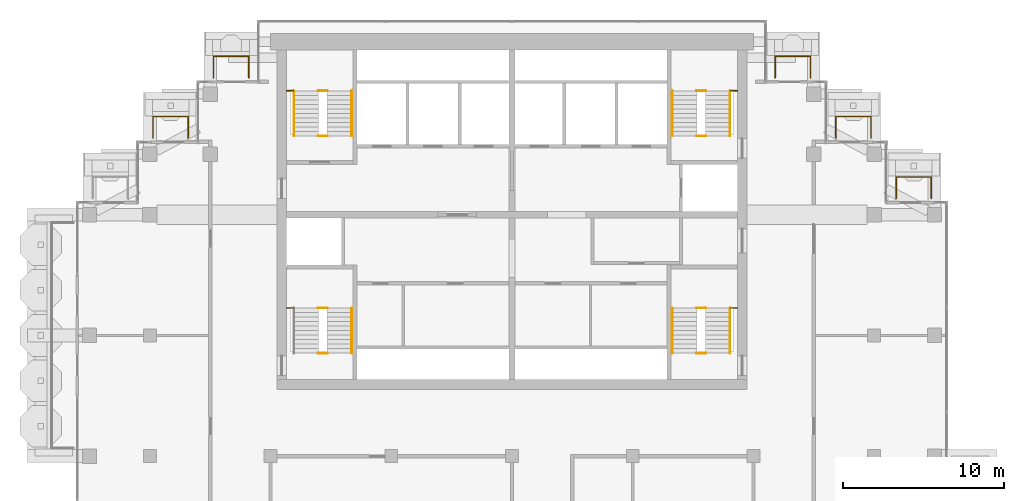
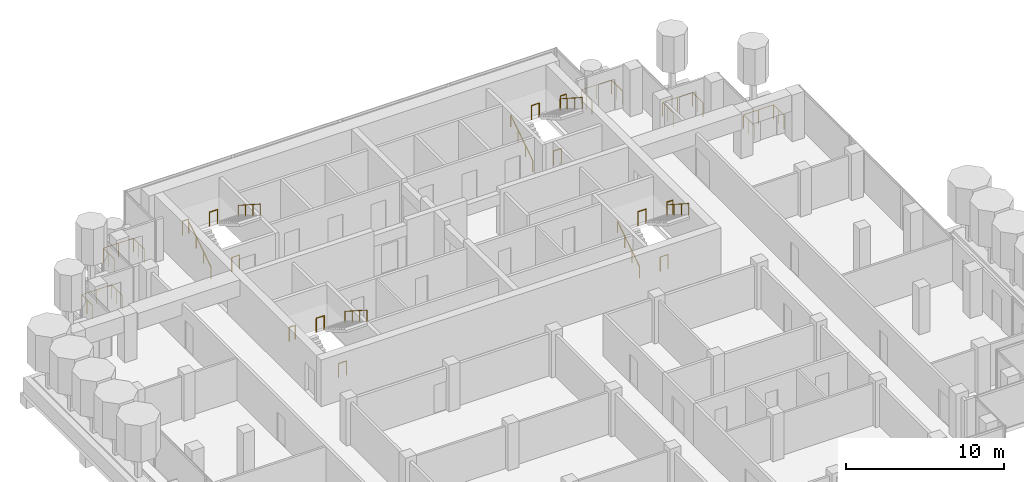
# One storey, part 17 of 18: 24 railings.
"""IFC4 building model written with IfcOpenShell, lengths in metres."""

import ifcopenshell
import ifcopenshell.guid

model = None  # the IFC model being written
_history = None  # IfcOwnerHistory: only IFC2X3 demands one
_inside = {}  # id of a spatial element -> (the spatial element, [elements in it])
_under = {}  # id of a project, library or spatial element -> (it, [spatial elements below it])
_declared = {}  # id of a project -> (the project, [libraries it declares])
_typed = {}  # id of a type object -> (the type object, [elements of that type])
_made_of = {}  # id of a material, layer set ... -> (it, [elements and type objects made of it])


def new_model(schema):
    """Start an empty IFC model of exactly this schema.

    Asked for "IFC4X3", IfcOpenShell would pick the latest addendum, in which some entities
    have other attributes; the version numbers below select the first issue.
    IFC2X3 requires an IfcOwnerHistory on every rooted entity: one is made here for all.
    """
    global model, _history
    if schema == "IFC4X3":
        model = ifcopenshell.file(schema_version=(4, 3, 0, 0))
    else:
        model = ifcopenshell.file(schema=schema)
    _inside.clear()
    _under.clear()
    _declared.clear()
    _typed.clear()
    _made_of.clear()
    _history = None
    if model.schema == "IFC2X3":
        org = make("IfcOrganization", Name="unknown")
        user = make(
            "IfcPersonAndOrganization",
            ThePerson=make("IfcPerson", FamilyName="unknown"),
            TheOrganization=org,
        )
        app = make(
            "IfcApplication",
            ApplicationDeveloper=org,
            Version="unknown",
            ApplicationFullName="unknown",
            ApplicationIdentifier="unknown",
        )
        _history = make(
            "IfcOwnerHistory",
            OwningUser=user,
            OwningApplication=app,
            ChangeAction="ADDED",
            CreationDate=0,
        )
    return model


def make(cls, **values):
    """One entity of the class cls with the attributes given. An attribute that is None is left unset."""
    return model.create_entity(
        cls, **{name: value for name, value in values.items() if value is not None}
    )


def rooted(cls, **values):
    """An entity with a GlobalId (a new one), such as an element, a storey or a relation."""
    return make(cls, GlobalId=ifcopenshell.guid.new(), OwnerHistory=_history, **values)


def si_unit(unit_type, name, prefix=None):
    """IfcSIUnit, for example si_unit("LENGTHUNIT", "METRE", prefix="MILLI")."""
    return make("IfcSIUnit", UnitType=unit_type, Prefix=prefix, Name=name)


def assignment(units):
    """IfcUnitAssignment: the units of a project."""
    return None if units is None else make("IfcUnitAssignment", Units=units)


def point(xyz):
    """IfcCartesianPoint."""
    return None if xyz is None else make("IfcCartesianPoint", Coordinates=xyz)


def direction(xyz):
    """IfcDirection."""
    return None if xyz is None else make("IfcDirection", DirectionRatios=xyz)


def frame(location, z_axis=None, x_axis=None):
    """IfcAxis2Placement3D, a coordinate frame: its origin and axes. An axis left out is left unset."""
    return make(
        "IfcAxis2Placement3D",
        Location=point(location),
        Axis=direction(z_axis),
        RefDirection=direction(x_axis),
    )


def frame_2d(location, x_axis=None):
    """IfcAxis2Placement2D, a coordinate frame in the plane: its origin and x axis."""
    return make(
        "IfcAxis2Placement2D", Location=point(location), RefDirection=direction(x_axis)
    )


def origin():
    """The frame at (0, 0, 0) with its axes left unset."""
    return frame((0.0, 0.0, 0.0))


def origin_2d():
    """The frame at (0, 0) in the plane with its x axis left unset."""
    return frame_2d((0.0, 0.0))


def place(relative_to, where):
    """IfcLocalPlacement: puts the frame where relative to a parent placement (None: the world)."""
    return make(
        "IfcLocalPlacement", PlacementRelTo=relative_to, RelativePlacement=where
    )


def context(
    kind, dimensions, precision=None, world=None, true_north=None, identifier=None
):
    """IfcGeometricRepresentationContext, for example the 3D "Model" context."""
    return make(
        "IfcGeometricRepresentationContext",
        ContextIdentifier=identifier,
        ContextType=kind,
        CoordinateSpaceDimension=dimensions,
        Precision=precision,
        WorldCoordinateSystem=world,
        TrueNorth=true_north,
    )


def subcontext(parent, identifier, kind, view, scale=None):
    """IfcGeometricRepresentationSubContext, for example "Body" below "Model"."""
    return make(
        "IfcGeometricRepresentationSubContext",
        ContextIdentifier=identifier,
        ContextType=kind,
        ParentContext=parent,
        TargetScale=scale,
        TargetView=view,
    )


def project(units=None, contexts=None):
    """IfcProject with its units and contexts."""
    return rooted(
        "IfcProject",
        Name="project",
        RepresentationContexts=contexts,
        UnitsInContext=assignment(units),
    )


def spatial(cls, under=None, at=None, **own):
    """A site, building, storey or space (cls), placed at a placement, below another one or the project."""
    s = rooted(cls, ObjectPlacement=at, **own)
    if under is not None:
        _under.setdefault(under.id(), (under, []))[1].append(s)
    return s


def profile(cls, at=None, kind="AREA", **sizes):
    """A parametric profile (cls). Its sizes go by their IFC names, for example OverallWidth=200.0."""
    return make(cls, ProfileType=kind, Position=at, **sizes)


def circle(**sizes):
    """IfcCircleProfileDef."""
    return profile("IfcCircleProfileDef", **sizes)


def extrude(swept, where, along, depth):
    """IfcExtrudedAreaSolid: the profile swept, set in the frame where, extruded along a direction by depth."""
    return make(
        "IfcExtrudedAreaSolid",
        SweptArea=swept,
        Position=where,
        ExtrudedDirection=direction(along),
        Depth=depth,
    )


def shape(context_of_items, identifier, shape_type, items):
    """IfcShapeRepresentation: the items that make up one representation, for example the "Body"."""
    return make(
        "IfcShapeRepresentation",
        ContextOfItems=context_of_items,
        RepresentationIdentifier=identifier,
        RepresentationType=shape_type,
        Items=items,
    )


def material(Name=None, Category=None):
    """IfcMaterial."""
    return make("IfcMaterial", Name=Name, Category=Category)


def made_of(thing, what):
    """Note that an element or type object is made of a material, layer set ...; save() writes the relation."""
    if what is not None:
        _made_of.setdefault(what.id(), (what, []))[1].append(thing)
    return thing


def type_object(cls, material=None, **own):
    """A type object (cls), such as IfcWallType, which elements share."""
    return made_of(rooted(cls, **own), material)


def element(
    cls,
    number,
    at=None,
    inside=None,
    cuts=None,
    type_object=None,
    material=None,
    context=None,
    identifier="Body",
    shape_type=None,
    held_by="IfcProductDefinitionShape",
    body=None,
    shapes=None,
    **own,
):
    """One element of the class cls, such as IfcWall. Its Tag is "e" and its number.

    at: its placement. inside: the storey or other place that contains it. cuts: it is an
    opening in that element (IfcRelVoidsElement). A single representation is given by context,
    identifier, shape_type and body (its items); several are given by shapes. held_by: the class
    of the entity that holds the representations. save() writes the other relations.
    """
    e = rooted(cls, Tag="e%d" % number, ObjectPlacement=at, **own)
    if body is not None:
        shapes = [shape(context, identifier, shape_type, body)]
    if shapes is not None:
        e.Representation = make(held_by, Representations=shapes)
    if inside is not None:
        _inside.setdefault(inside.id(), (inside, []))[1].append(e)
    if cuts is not None:
        rooted(
            "IfcRelVoidsElement", RelatingBuildingElement=cuts, RelatedOpeningElement=e
        )
    if type_object is not None:
        _typed.setdefault(type_object.id(), (type_object, []))[1].append(e)
    return made_of(e, material)


def aggregate(whole, parts):
    """IfcRelAggregates: a whole, such as a stair, and the parts it consists of."""
    return rooted("IfcRelAggregates", RelatingObject=whole, RelatedObjects=parts)


def save(model, path):
    """Write the relations noted so far, then the file.

    IfcRelAggregates (storeys below a building ...), IfcRelContainedInSpatialStructure (elements
    in a storey), IfcRelDefinesByType, IfcRelAssociatesMaterial and IfcRelDeclares: one each for
    every whole, place, type object, material and project.
    """
    for whole, parts in _under.values():
        aggregate(whole, parts)
    for where, things in _inside.values():
        rooted(
            "IfcRelContainedInSpatialStructure",
            RelatedElements=things,
            RelatingStructure=where,
        )
    for kind, things in _typed.values():
        rooted("IfcRelDefinesByType", RelatedObjects=things, RelatingType=kind)
    for what, things in _made_of.values():
        rooted("IfcRelAssociatesMaterial", RelatedObjects=things, RelatingMaterial=what)
    for by, libraries in _declared.values():
        rooted("IfcRelDeclares", RelatingContext=by, RelatedDefinitions=libraries)
    model.write(path)


model = new_model("IFC4")

# Units and contexts
model_context = context("Model", 3, precision=1e-05, world=origin(), true_north=direction((0.0, 1.0)))
body_context = subcontext(model_context, "Body", "Model", "MODEL_VIEW")
ifc_project = project(units=[si_unit("LENGTHUNIT", "METRE"), si_unit("AREAUNIT", "SQUARE_METRE"), si_unit("VOLUMEUNIT", "CUBIC_METRE"), si_unit("PLANEANGLEUNIT", "RADIAN"), si_unit("MASSUNIT", "GRAM", prefix="KILO")], contexts=[model_context])

# Site, building, storey
site_placement = place(None, origin())
site = spatial("IfcSite", under=ifc_project, at=site_placement, CompositionType="ELEMENT")
building_placement = place(site_placement, origin())
building = spatial("IfcBuilding", under=site, at=building_placement, Name="Pilkhan Gate Tower", CompositionType="ELEMENT")
storey_placement = place(building_placement, frame((0.0, 0.0, 249.89990234375)))
storey = spatial("IfcBuildingStorey", under=building, at=storey_placement, Name="L65", CompositionType="ELEMENT", Elevation=249.89990234375)

# Railings
ifc_material_1 = material(Name="Pale anodised aluminium posts, laminated glass infill", Category="aluminium")
railing_type_1 = type_object("IfcRailingType", Name="Balcony guard G1", PredefinedType="BALUSTRADE", material=ifc_material_1)
for number, where, name in (
    (1, (56.449951171875, 91.0, 0.0), "Balcony guard L65 N"),
    (2, (91.35009765625, 91.0, 0.0), "Balcony guard L65 N"),
):
    element("IfcRailing", number, at=place(storey_placement, frame(where)), inside=storey, type_object=railing_type_1, Name=name, PredefinedType="BALUSTRADE", context=body_context, shape_type="SweptSolid", body=[
        extrude(circle(Radius=0.02392578125, at=origin_2d()), frame((0.0, 0.0, 1.076171875), z_axis=(0.0, 1.0, 0.0), x_axis=(-1.0, 0.0, 0.0)), (0.0, 0.0, 1.0), 1.35009765625),
        extrude(circle(Radius=0.02392578125, at=origin_2d()), frame((0.0, 1.35009765625, 1.076171875), z_axis=(1.0, 0.0, 0.0), x_axis=(0.0, 1.0, 0.0)), (0.0, 0.0, 1.0), 2.199951171875),
        extrude(circle(Radius=0.02392578125, at=origin_2d()), frame((2.199951171875, 1.35009765625, 1.076171875), z_axis=(0.0, -1.0, 0.0), x_axis=(1.0, 0.0, 0.0)), (0.0, 0.0, 1.0), 1.35009765625),
        extrude(circle(Radius=0.02099609375, at=origin_2d()), origin(), (0.0, 0.0, 1.0), 1.052001953125),
        extrude(circle(Radius=0.02099609375, at=origin_2d()), frame((0.0, 0.675048828125, 0.0)), (0.0, 0.0, 1.0), 1.052001953125),
        extrude(circle(Radius=0.02099609375, at=origin_2d()), frame((0.0, 1.35009765625, 0.0)), (0.0, 0.0, 1.0), 1.052001953125),
        extrude(circle(Radius=0.02099609375, at=origin_2d()), frame((1.10009765625, 1.35009765625, 0.0)), (0.0, 0.0, 1.0), 1.052001953125),
        extrude(circle(Radius=0.02099609375, at=origin_2d()), frame((2.199951171875, 1.35009765625, 0.0)), (0.0, 0.0, 1.0), 1.052001953125),
        extrude(circle(Radius=0.02099609375, at=origin_2d()), frame((2.199951171875, 0.675048828125, 0.0)), (0.0, 0.0, 1.0), 1.052001953125),
        extrude(circle(Radius=0.02099609375, at=origin_2d()), frame((2.199951171875, 0.0, 0.0)), (0.0, 0.0, 1.0), 1.052001953125),
    ])
for number, where, name in (
    (3, (52.699951171875, 87.27001953125, 0.0), "Balcony guard L65 N"),
    (4, (95.1201171875, 87.27001953125, 0.0), "Balcony guard L65 N"),
    (5, (98.8701171875, 83.52001953125, 0.0), "Balcony guard L65 N"),
):
    element("IfcRailing", number, at=place(storey_placement, frame(where)), inside=storey, type_object=railing_type_1, Name=name, PredefinedType="BALUSTRADE", context=body_context, shape_type="SweptSolid", body=[
        extrude(circle(Radius=0.02392578125, at=origin_2d()), frame((0.0, 0.0, 1.076171875), z_axis=(0.0, 1.0, 0.0), x_axis=(-1.0, 0.0, 0.0)), (0.0, 0.0, 1.0), 1.330078125),
        extrude(circle(Radius=0.02392578125, at=origin_2d()), frame((0.0, 1.330078125, 1.076171875), z_axis=(1.0, 0.0, 0.0), x_axis=(0.0, 1.0, 0.0)), (0.0, 0.0, 1.0), 2.179931640625),
        extrude(circle(Radius=0.02392578125, at=origin_2d()), frame((2.179931640625, 1.330078125, 1.076171875), z_axis=(0.0, -1.0, 0.0), x_axis=(1.0, 0.0, 0.0)), (0.0, 0.0, 1.0), 1.330078125),
        extrude(circle(Radius=0.02099609375, at=origin_2d()), origin(), (0.0, 0.0, 1.0), 1.052001953125),
        extrude(circle(Radius=0.02099609375, at=origin_2d()), frame((0.0, 0.6650390625, 0.0)), (0.0, 0.0, 1.0), 1.052001953125),
        extrude(circle(Radius=0.02099609375, at=origin_2d()), frame((0.0, 1.330078125, 0.0)), (0.0, 0.0, 1.0), 1.052001953125),
        extrude(circle(Radius=0.02099609375, at=origin_2d()), frame((1.08984375, 1.330078125, 0.0)), (0.0, 0.0, 1.0), 1.052001953125),
        extrude(circle(Radius=0.02099609375, at=origin_2d()), frame((2.179931640625, 1.330078125, 0.0)), (0.0, 0.0, 1.0), 1.052001953125),
        extrude(circle(Radius=0.02099609375, at=origin_2d()), frame((2.179931640625, 0.6650390625, 0.0)), (0.0, 0.0, 1.0), 1.052001953125),
        extrude(circle(Radius=0.02099609375, at=origin_2d()), frame((2.179931640625, 0.0, 0.0)), (0.0, 0.0, 1.0), 1.052001953125),
    ])
ifc_material_2 = material(Name="Black powder-coated steel tube", Category="steel")
railing_type_2 = type_object("IfcRailingType", Name="Stair handrail HR1", PredefinedType="HANDRAIL", material=ifc_material_2)
railing_1_placement = place(storey_placement, frame((84.949951171875, 73.89990234375, 0.0)))
element("IfcRailing", 6, at=railing_1_placement, inside=storey, type_object=railing_type_2, Name="Stair ST1 handrail L65", PredefinedType="HANDRAIL", context=body_context, shape_type="SweptSolid", body=[
    extrude(circle(Radius=0.02392578125, at=origin_2d()), frame((0.0, 0.0, 0.8759765625), z_axis=(0.0, 0.841176092368, 0.540761298198), x_axis=(-1.0, 0.0, 0.0)), (0.0, 0.0, 1.0), 3.32861328125),
    extrude(circle(Radius=0.02099609375, at=origin_2d()), origin(), (0.0, 0.0, 1.0), 0.851806640625),
    extrude(circle(Radius=0.02099609375, at=origin_2d()), frame((0.0, 0.933349609375, 0.60009765625)), (0.0, 0.0, 1.0), 0.851806640625),
    extrude(circle(Radius=0.02099609375, at=origin_2d()), frame((0.0, 1.86669921875, 1.199951171875)), (0.0, 0.0, 1.0), 0.851806640625),
    extrude(circle(Radius=0.02099609375, at=origin_2d()), frame((0.0, 2.800048828125, 1.800048828125)), (0.0, 0.0, 1.0), 0.851806640625),
])
for number, where, name in (
    (7, (88.550048828125, 76.699951171875, 1.800048828125), "Stair ST1 handrail L65"),
    (8, (65.050048828125, 76.699951171875, 1.800048828125), "Stair ST2 handrail L65"),
):
    element("IfcRailing", number, at=place(storey_placement, frame(where)), inside=storey, type_object=railing_type_2, Name=name, PredefinedType="HANDRAIL", context=body_context, shape_type="SweptSolid", body=[
        extrude(circle(Radius=0.02392578125, at=origin_2d()), frame((0.0, 0.0, 0.8759765625), z_axis=(0.0, -0.841176092368, 0.540761298198), x_axis=(1.0, 0.0, 0.0)), (0.0, 0.0, 1.0), 3.32861328125),
        extrude(circle(Radius=0.02099609375, at=origin_2d()), origin(), (0.0, 0.0, 1.0), 0.851806640625),
        extrude(circle(Radius=0.02099609375, at=origin_2d()), frame((0.0, -0.933349609375, 0.60009765625)), (0.0, 0.0, 1.0), 0.851806640625),
        extrude(circle(Radius=0.02099609375, at=origin_2d()), frame((0.0, -1.86669921875, 1.199951171875)), (0.0, 0.0, 1.0), 0.851806640625),
        extrude(circle(Radius=0.02099609375, at=origin_2d()), frame((0.0, -2.800048828125, 1.800048828125)), (0.0, 0.0, 1.0), 0.851806640625),
    ])
railing_2_placement = place(storey_placement, frame((61.449951171875, 87.39990234375, 0.0)))
element("IfcRailing", 9, at=railing_2_placement, inside=storey, type_object=railing_type_2, Name="Stair ST3 handrail L65", PredefinedType="HANDRAIL", context=body_context, shape_type="SweptSolid", body=[
    extrude(circle(Radius=0.02392578125, at=origin_2d()), frame((0.0, 0.0, 0.8759765625), z_axis=(0.0, 0.841176092368, 0.540761298198), x_axis=(-1.0, 0.0, 0.0)), (0.0, 0.0, 1.0), 3.32861328125),
    extrude(circle(Radius=0.02099609375, at=origin_2d()), origin(), (0.0, 0.0, 1.0), 0.851806640625),
    extrude(circle(Radius=0.02099609375, at=origin_2d()), frame((0.0, 0.933349609375, 0.60009765625)), (0.0, 0.0, 1.0), 0.851806640625),
    extrude(circle(Radius=0.02099609375, at=origin_2d()), frame((0.0, 1.86669921875, 1.199951171875)), (0.0, 0.0, 1.0), 0.851806640625),
    extrude(circle(Radius=0.02099609375, at=origin_2d()), frame((0.0, 2.800048828125, 1.800048828125)), (0.0, 0.0, 1.0), 0.851806640625),
])
railing_3_placement = place(storey_placement, frame((65.050048828125, 90.199951171875, 1.800048828125)))
element("IfcRailing", 10, at=railing_3_placement, inside=storey, type_object=railing_type_2, Name="Stair ST3 handrail L65", PredefinedType="HANDRAIL", context=body_context, shape_type="SweptSolid", body=[
    extrude(circle(Radius=0.02392578125, at=origin_2d()), frame((0.0, 0.0, 0.8759765625), z_axis=(0.0, -0.841176092368, 0.540761298198), x_axis=(1.0, 0.0, 0.0)), (0.0, 0.0, 1.0), 3.32861328125),
    extrude(circle(Radius=0.02099609375, at=origin_2d()), origin(), (0.0, 0.0, 1.0), 0.851806640625),
    extrude(circle(Radius=0.02099609375, at=origin_2d()), frame((0.0, -0.933349609375, 0.60009765625)), (0.0, 0.0, 1.0), 0.851806640625),
    extrude(circle(Radius=0.02099609375, at=origin_2d()), frame((0.0, -1.86669921875, 1.199951171875)), (0.0, 0.0, 1.0), 0.851806640625),
    extrude(circle(Radius=0.02099609375, at=origin_2d()), frame((0.0, -2.800048828125, 1.800048828125)), (0.0, 0.0, 1.0), 0.851806640625),
])
railing_4_placement = place(storey_placement, frame((84.949951171875, 87.39990234375, 0.0)))
element("IfcRailing", 11, at=railing_4_placement, inside=storey, type_object=railing_type_2, Name="Stair ST4 handrail L65", PredefinedType="HANDRAIL", context=body_context, shape_type="SweptSolid", body=[
    extrude(circle(Radius=0.02392578125, at=origin_2d()), frame((0.0, 0.0, 0.8759765625), z_axis=(0.0, 0.841176092368, 0.540761298198), x_axis=(-1.0, 0.0, 0.0)), (0.0, 0.0, 1.0), 3.32861328125),
    extrude(circle(Radius=0.02099609375, at=origin_2d()), origin(), (0.0, 0.0, 1.0), 0.851806640625),
    extrude(circle(Radius=0.02099609375, at=origin_2d()), frame((0.0, 0.933349609375, 0.60009765625)), (0.0, 0.0, 1.0), 0.851806640625),
    extrude(circle(Radius=0.02099609375, at=origin_2d()), frame((0.0, 1.86669921875, 1.199951171875)), (0.0, 0.0, 1.0), 0.851806640625),
    extrude(circle(Radius=0.02099609375, at=origin_2d()), frame((0.0, 2.800048828125, 1.800048828125)), (0.0, 0.0, 1.0), 0.851806640625),
])
railing_5_placement = place(storey_placement, frame((88.550048828125, 90.199951171875, 1.800048828125)))
element("IfcRailing", 12, at=railing_5_placement, inside=storey, type_object=railing_type_2, Name="Stair ST4 handrail L65", PredefinedType="HANDRAIL", context=body_context, shape_type="SweptSolid", body=[
    extrude(circle(Radius=0.02392578125, at=origin_2d()), frame((0.0, 0.0, 0.8759765625), z_axis=(0.0, -0.841176092368, 0.540761298198), x_axis=(1.0, 0.0, 0.0)), (0.0, 0.0, 1.0), 3.32861328125),
    extrude(circle(Radius=0.02099609375, at=origin_2d()), origin(), (0.0, 0.0, 1.0), 0.851806640625),
    extrude(circle(Radius=0.02099609375, at=origin_2d()), frame((0.0, -0.933349609375, 0.60009765625)), (0.0, 0.0, 1.0), 0.851806640625),
    extrude(circle(Radius=0.02099609375, at=origin_2d()), frame((0.0, -1.86669921875, 1.199951171875)), (0.0, 0.0, 1.0), 0.851806640625),
    extrude(circle(Radius=0.02099609375, at=origin_2d()), frame((0.0, -2.800048828125, 1.800048828125)), (0.0, 0.0, 1.0), 0.851806640625),
])
ifc_material_3 = material(Name="Black powder-coated steel balusters", Category="steel")
railing_type_3 = type_object("IfcRailingType", Name="Stair well guard G3", PredefinedType="GUARDRAIL", material=ifc_material_3)
railing_6_placement = place(storey_placement, frame((88.580078125, 76.699951171875, 1.800048828125)))
element("IfcRailing", 13, at=railing_6_placement, inside=storey, type_object=railing_type_3, Name="Stair ST1 well guard L65", PredefinedType="GUARDRAIL", context=body_context, shape_type="SweptSolid", body=[
    extrude(circle(Radius=0.02392578125, at=origin_2d()), frame((0.0, 0.0, 1.076171875), z_axis=(1.0, 0.0, 0.0), x_axis=(0.0, 1.0, 0.0)), (0.0, 0.0, 1.0), 0.43994140625),
    extrude(circle(Radius=0.02099609375, at=origin_2d()), origin(), (0.0, 0.0, 1.0), 1.052001953125),
    extrude(circle(Radius=0.02099609375, at=origin_2d()), frame((0.43994140625, 0.0, 0.0)), (0.0, 0.0, 1.0), 1.052001953125),
])
for number, where, name in (
    (14, (86.4599609375, 73.89990234375, 0.0), "Stair ST1 well guard L65"),
    (15, (86.4599609375, 76.699951171875, 1.800048828125), "Stair ST1 well guard L65"),
):
    element("IfcRailing", number, at=place(storey_placement, frame(where)), inside=storey, type_object=railing_type_3, Name=name, PredefinedType="GUARDRAIL", context=body_context, shape_type="SweptSolid", body=[
        extrude(circle(Radius=0.02392578125, at=origin_2d()), frame((0.0, 0.0, 1.076171875), z_axis=(1.0, 0.0, 0.0), x_axis=(0.0, 1.0, 0.0)), (0.0, 0.0, 1.0), 0.580078125),
        extrude(circle(Radius=0.02099609375, at=origin_2d()), origin(), (0.0, 0.0, 1.0), 1.052001953125),
        extrude(circle(Radius=0.02099609375, at=origin_2d()), frame((0.580078125, 0.0, 0.0)), (0.0, 0.0, 1.0), 1.052001953125),
    ])
railing_7_placement = place(storey_placement, frame((60.97998046875, 76.699951171875, 1.800048828125)))
element("IfcRailing", 16, at=railing_7_placement, inside=storey, type_object=railing_type_3, Name="Stair ST2 well guard L65", PredefinedType="GUARDRAIL", context=body_context, shape_type="SweptSolid", body=[
    extrude(circle(Radius=0.02392578125, at=origin_2d()), frame((0.0, 0.0, 1.076171875), z_axis=(1.0, 0.0, 0.0), x_axis=(0.0, 1.0, 0.0)), (0.0, 0.0, 1.0), 0.43994140625),
    extrude(circle(Radius=0.02099609375, at=origin_2d()), origin(), (0.0, 0.0, 1.0), 1.052001953125),
    extrude(circle(Radius=0.02099609375, at=origin_2d()), frame((0.43994140625, 0.0, 0.0)), (0.0, 0.0, 1.0), 1.052001953125),
])
for number, where, name in (
    (17, (62.9599609375, 73.89990234375, 0.0), "Stair ST2 well guard L65"),
    (18, (62.9599609375, 76.699951171875, 1.800048828125), "Stair ST2 well guard L65"),
):
    element("IfcRailing", number, at=place(storey_placement, frame(where)), inside=storey, type_object=railing_type_3, Name=name, PredefinedType="GUARDRAIL", context=body_context, shape_type="SweptSolid", body=[
        extrude(circle(Radius=0.02392578125, at=origin_2d()), frame((0.0, 0.0, 1.076171875), z_axis=(1.0, 0.0, 0.0), x_axis=(0.0, 1.0, 0.0)), (0.0, 0.0, 1.0), 0.580078125),
        extrude(circle(Radius=0.02099609375, at=origin_2d()), origin(), (0.0, 0.0, 1.0), 1.052001953125),
        extrude(circle(Radius=0.02099609375, at=origin_2d()), frame((0.580078125, 0.0, 0.0)), (0.0, 0.0, 1.0), 1.052001953125),
    ])
railing_8_placement = place(storey_placement, frame((60.97998046875, 90.199951171875, 1.800048828125)))
element("IfcRailing", 19, at=railing_8_placement, inside=storey, type_object=railing_type_3, Name="Stair ST3 well guard L65", PredefinedType="GUARDRAIL", context=body_context, shape_type="SweptSolid", body=[
    extrude(circle(Radius=0.02392578125, at=origin_2d()), frame((0.0, 0.0, 1.076171875), z_axis=(1.0, 0.0, 0.0), x_axis=(0.0, 1.0, 0.0)), (0.0, 0.0, 1.0), 0.43994140625),
    extrude(circle(Radius=0.02099609375, at=origin_2d()), origin(), (0.0, 0.0, 1.0), 1.052001953125),
    extrude(circle(Radius=0.02099609375, at=origin_2d()), frame((0.43994140625, 0.0, 0.0)), (0.0, 0.0, 1.0), 1.052001953125),
])
for number, where, name in (
    (20, (62.9599609375, 87.39990234375, 0.0), "Stair ST3 well guard L65"),
    (21, (62.9599609375, 90.199951171875, 1.800048828125), "Stair ST3 well guard L65"),
):
    element("IfcRailing", number, at=place(storey_placement, frame(where)), inside=storey, type_object=railing_type_3, Name=name, PredefinedType="GUARDRAIL", context=body_context, shape_type="SweptSolid", body=[
        extrude(circle(Radius=0.02392578125, at=origin_2d()), frame((0.0, 0.0, 1.076171875), z_axis=(1.0, 0.0, 0.0), x_axis=(0.0, 1.0, 0.0)), (0.0, 0.0, 1.0), 0.580078125),
        extrude(circle(Radius=0.02099609375, at=origin_2d()), origin(), (0.0, 0.0, 1.0), 1.052001953125),
        extrude(circle(Radius=0.02099609375, at=origin_2d()), frame((0.580078125, 0.0, 0.0)), (0.0, 0.0, 1.0), 1.052001953125),
    ])
railing_9_placement = place(storey_placement, frame((88.580078125, 90.199951171875, 1.800048828125)))
element("IfcRailing", 22, at=railing_9_placement, inside=storey, type_object=railing_type_3, Name="Stair ST4 well guard L65", PredefinedType="GUARDRAIL", context=body_context, shape_type="SweptSolid", body=[
    extrude(circle(Radius=0.02392578125, at=origin_2d()), frame((0.0, 0.0, 1.076171875), z_axis=(1.0, 0.0, 0.0), x_axis=(0.0, 1.0, 0.0)), (0.0, 0.0, 1.0), 0.43994140625),
    extrude(circle(Radius=0.02099609375, at=origin_2d()), origin(), (0.0, 0.0, 1.0), 1.052001953125),
    extrude(circle(Radius=0.02099609375, at=origin_2d()), frame((0.43994140625, 0.0, 0.0)), (0.0, 0.0, 1.0), 1.052001953125),
])
for number, where, name in (
    (23, (86.4599609375, 87.39990234375, 0.0), "Stair ST4 well guard L65"),
    (24, (86.4599609375, 90.199951171875, 1.800048828125), "Stair ST4 well guard L65"),
):
    element("IfcRailing", number, at=place(storey_placement, frame(where)), inside=storey, type_object=railing_type_3, Name=name, PredefinedType="GUARDRAIL", context=body_context, shape_type="SweptSolid", body=[
        extrude(circle(Radius=0.02392578125, at=origin_2d()), frame((0.0, 0.0, 1.076171875), z_axis=(1.0, 0.0, 0.0), x_axis=(0.0, 1.0, 0.0)), (0.0, 0.0, 1.0), 0.580078125),
        extrude(circle(Radius=0.02099609375, at=origin_2d()), origin(), (0.0, 0.0, 1.0), 1.052001953125),
        extrude(circle(Radius=0.02099609375, at=origin_2d()), frame((0.580078125, 0.0, 0.0)), (0.0, 0.0, 1.0), 1.052001953125),
    ])

save(model, "model.ifc")
